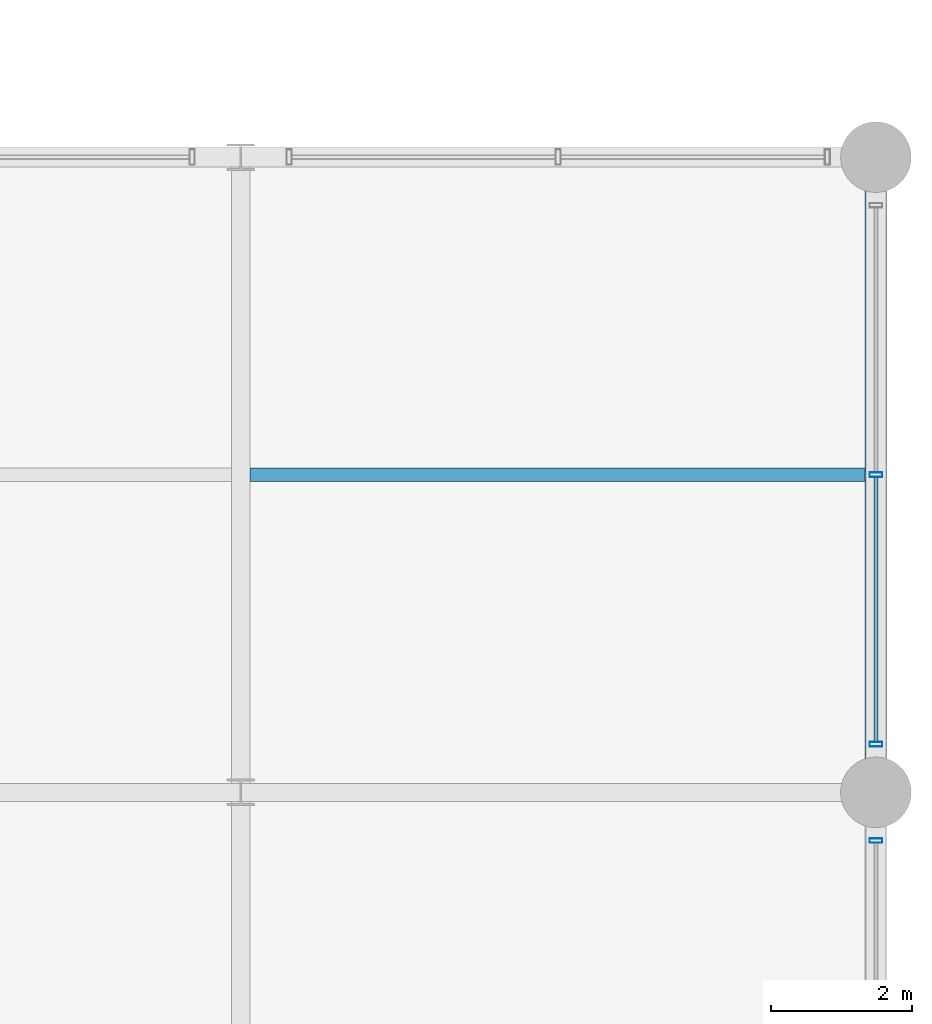
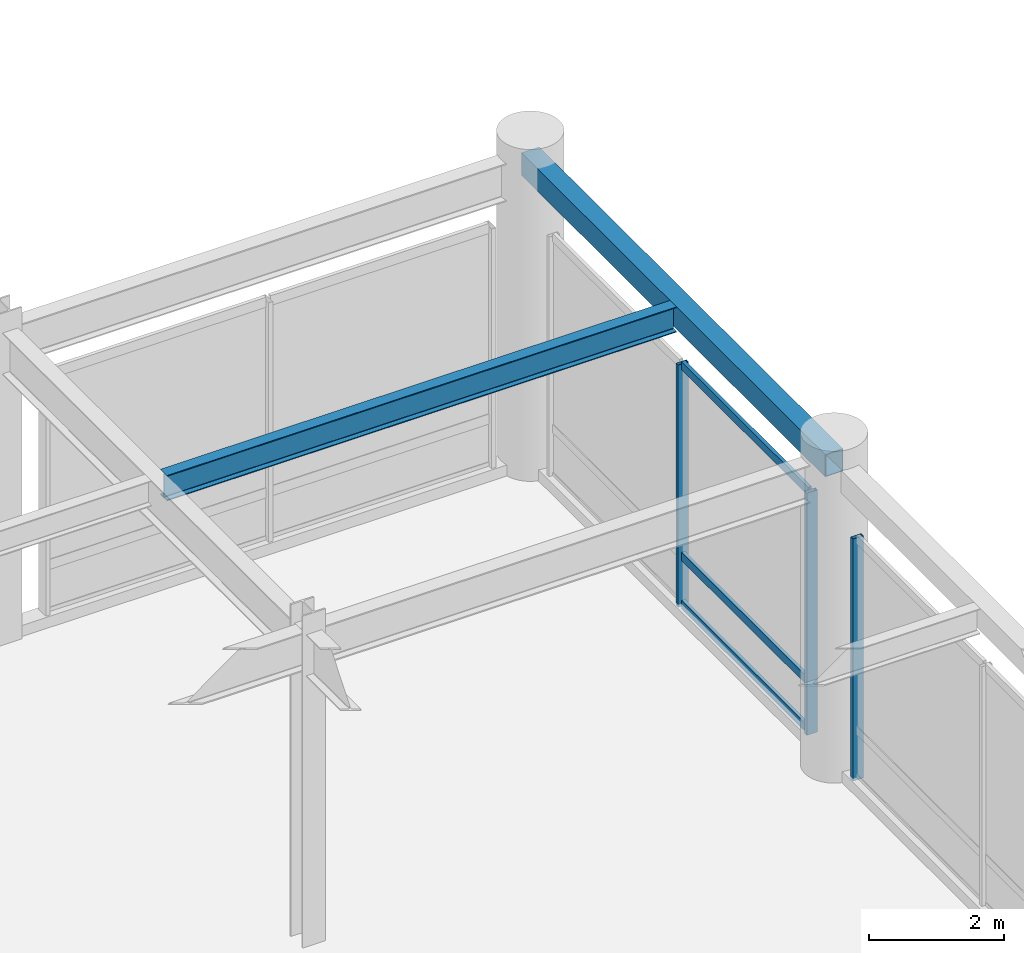
# One storey, part 58 of 108: 6 members, 2 beams, 2 elements without a shape of their own.
"""IFC4 building model written with IfcOpenShell, lengths in metres."""

from ifc_helpers import new_model, si_unit, direction, frame, origin, origin_2d, place, context, subcontext, project, spatial, hollow_rectangle, i_section, extrude, material, material_profile, profile_set, type_object, element, aggregate, save


model = new_model("IFC4")

# Units and contexts
model_context = context("Model", 3, precision=1e-05, world=origin(), true_north=direction((0.0, 1.0)))
body_context = subcontext(model_context, "Body", "Model", "MODEL_VIEW")
ifc_project = project(units=[si_unit("LENGTHUNIT", "METRE"), si_unit("AREAUNIT", "SQUARE_METRE"), si_unit("VOLUMEUNIT", "CUBIC_METRE"), si_unit("PLANEANGLEUNIT", "RADIAN"), si_unit("MASSUNIT", "GRAM", prefix="KILO")], contexts=[model_context])

# Site, building, storey
site_placement = place(None, origin())
site = spatial("IfcSite", under=ifc_project, at=site_placement, CompositionType="ELEMENT")
building_placement = place(site_placement, origin())
building = spatial("IfcBuilding", under=site, at=building_placement, Name="Kaldorvane Square Convention Centre", CompositionType="ELEMENT")
storey_placement = place(building_placement, frame((0.0, 0.0, 12.0)))
storey = spatial("IfcBuildingStorey", under=building, at=storey_placement, Name="L02", CompositionType="ELEMENT", Elevation=12.0)

# Beams
ifc_material_1 = material(Name="Steel ASTM A992 Gr. 50", Category="steel")
ifc_material_profile_1 = material_profile(ifc_material_1, i_section(OverallWidth=0.1912994384765625, OverallDepth=0.4600067138671875, WebThickness=0.0099029541015625, FlangeThickness=0.0160064697265625, FilletRadius=0.01019287109375, at=origin_2d()), Name="W18X55")
ifc_profile_set_1 = profile_set([ifc_material_profile_1], Name="Steel ASTM A992 Gr. 50")
beam_type_1 = type_object("IfcBeamType", Name="BM-JS-W18X55", PredefinedType="JOIST", material=ifc_profile_set_1)
beam_1_placement = place(storey_placement, frame((165.13330078125, 31.5, 5.4160003662109375), z_axis=(1.0, 0.0, 0.0), x_axis=(0.0, 1.0, 0.0)))
element("IfcBeam", 1, at=beam_1_placement, inside=storey, type_object=beam_type_1, Name="Secondary Floor Joist (L02)", PredefinedType="JOIST", context=body_context, shape_type="SweptSolid", body=[
    extrude(i_section(OverallWidth=0.1912994384765625, OverallDepth=0.4600067138671875, WebThickness=0.0099029541015625, FlangeThickness=0.0160064697265625, FilletRadius=0.01019287109375, at=origin_2d()), origin(), (0.0, 0.0, 1.0), 8.71429443359375),
])
ifc_material_2 = material(Name="Steel ASTM A500 Gr. C", Category="steel")
ifc_material_profile_2 = material_profile(ifc_material_2, hollow_rectangle(XDim=0.3047943115234375, YDim=0.406402587890625, WallThickness=0.0117950439453125, at=origin_2d()), Name="HSS16X12X1/2")
ifc_profile_set_2 = profile_set([ifc_material_profile_2], Name="Steel ASTM A500 Gr. C")
beam_type_2 = type_object("IfcBeamType", Name="BM-SP-HSS16", PredefinedType="SPANDREL", material=ifc_profile_set_2)
beam_2_placement = place(storey_placement, frame((174.0, 27.0, 5.4427947998046875), z_axis=(0.0, 1.0, 0.0), x_axis=(-1.0, 0.0, 0.0)))
element("IfcBeam", 2, at=beam_2_placement, inside=storey, type_object=beam_type_2, Name="End Spandrel (L02)", PredefinedType="SPANDREL", context=body_context, shape_type="SweptSolid", body=[
    extrude(hollow_rectangle(XDim=0.3047943115234375, YDim=0.406402587890625, WallThickness=0.0117950439453125, at=origin_2d()), origin(), (0.0, 0.0, 1.0), 9.0),
])

# Curtain wall, member
ifc_material_3 = material(Name="Anodized Aluminum and Low-E Insulated Glazing", Category="aluminium")
curtain_wall_type = type_object("IfcCurtainWallType", Name="CW-UNI-P60-09", PredefinedType="USERDEFINED", material=ifc_material_3)
curtain_wall_1_placement = place(storey_placement, origin())
curtain_wall_1 = element("IfcCurtainWall", 3, at=curtain_wall_1_placement, inside=storey, type_object=curtain_wall_type, Name="Curtain Wall CW-02 (L02)", ObjectType="UNITISED GLAZING", PredefinedType="USERDEFINED")
ifc_material_profile_3 = material_profile(ifc_material_3, hollow_rectangle(XDim=0.06500244140625, YDim=0.17999267578125, WallThickness=0.0034942626953125, at=origin_2d()), Name="CWM-180X65")
ifc_profile_set_3 = profile_set([ifc_material_profile_3], Name="Anodized Aluminum and Low-E Insulated Glazing")
member_type_1 = type_object("IfcMemberType", Name="CW-MUL-180", PredefinedType="MULLION", material=ifc_profile_set_3)
member_1_placement = place(storey_placement, frame((174.0, 26.3175048828125, 0.149993896484375), z_axis=(0.0, 0.0, 1.0), x_axis=(0.0, 1.0, 0.0)))
member_1 = element("IfcMember", 4, at=member_1_placement, type_object=member_type_1, Name="CW-02 mullion 3", PredefinedType="MULLION", context=body_context, shape_type="SweptSolid", body=[
    extrude(hollow_rectangle(XDim=0.06500244140625, YDim=0.17999267578125, WallThickness=0.0034942626953125, at=origin_2d()), origin(), (0.0, 0.0, 1.0), 4.3800048828125),
])
aggregate(curtain_wall_1, [member_1])

# Curtain wall, members
curtain_wall_2_placement = place(storey_placement, origin())
curtain_wall_2 = element("IfcCurtainWall", 5, at=curtain_wall_2_placement, inside=storey, type_object=curtain_wall_type, Name="Curtain Wall CW-02 (L02)", ObjectType="UNITISED GLAZING", PredefinedType="USERDEFINED")
member_2_placement = place(storey_placement, frame((174.0, 27.6824951171875, 0.149993896484375), z_axis=(0.0, 0.0, 1.0), x_axis=(0.0, 1.0, 0.0)))
member_2 = element("IfcMember", 6, at=member_2_placement, type_object=member_type_1, Name="CW-02 mullion 1", PredefinedType="MULLION", context=body_context, shape_type="SweptSolid", body=[
    extrude(hollow_rectangle(XDim=0.06500244140625, YDim=0.17999267578125, WallThickness=0.0034942626953125, at=origin_2d()), origin(), (0.0, 0.0, 1.0), 4.3800048828125),
])
member_3_placement = place(storey_placement, frame((174.0, 31.5, 0.149993896484375), z_axis=(0.0, 0.0, 1.0), x_axis=(0.0, 1.0, 0.0)))
member_3 = element("IfcMember", 7, at=member_3_placement, type_object=member_type_1, Name="CW-02 mullion 2", PredefinedType="MULLION", context=body_context, shape_type="SweptSolid", body=[
    extrude(hollow_rectangle(XDim=0.06500244140625, YDim=0.17999267578125, WallThickness=0.0034942626953125, at=origin_2d()), origin(), (0.0, 0.0, 1.0), 4.3800048828125),
])
ifc_material_profile_4 = material_profile(ifc_material_3, hollow_rectangle(XDim=0.05999755859375, YDim=0.149993896484375, WallThickness=0.003204345703125, at=origin_2d()), Name="CWT-150X60")
ifc_profile_set_4 = profile_set([ifc_material_profile_4], Name="Anodized Aluminum and Low-E Insulated Glazing")
member_type_2 = type_object("IfcMemberType", Name="CW-TRN-150", PredefinedType="USERDEFINED", material=ifc_profile_set_4)
member_4_placement = place(storey_placement, frame((174.0, 27.714996337890625, 0.17999267578125), z_axis=(0.0, 1.0, 0.0), x_axis=(-1.0, 0.0, 0.0)))
member_4 = element("IfcMember", 8, at=member_4_placement, type_object=member_type_2, Name="CW-02 transom 1.1", ObjectType="TRANSOM", PredefinedType="USERDEFINED", context=body_context, shape_type="SweptSolid", body=[
    extrude(hollow_rectangle(XDim=0.05999755859375, YDim=0.149993896484375, WallThickness=0.003204345703125, at=origin_2d()), origin(), (0.0, 0.0, 1.0), 3.75250244140625),
])
member_5_placement = place(storey_placement, frame((174.0, 27.714996337890625, 1.0500030517578125), z_axis=(0.0, 1.0, 0.0), x_axis=(-1.0, 0.0, 0.0)))
member_5 = element("IfcMember", 9, at=member_5_placement, type_object=member_type_2, Name="CW-02 transom 1.2", ObjectType="TRANSOM", PredefinedType="USERDEFINED", context=body_context, shape_type="SweptSolid", body=[
    extrude(hollow_rectangle(XDim=0.05999755859375, YDim=0.149993896484375, WallThickness=0.003204345703125, at=origin_2d()), origin(), (0.0, 0.0, 1.0), 3.75250244140625),
])
member_6_placement = place(storey_placement, frame((174.0, 27.714996337890625, 4.5), z_axis=(0.0, 1.0, 0.0), x_axis=(-1.0, 0.0, 0.0)))
member_6 = element("IfcMember", 10, at=member_6_placement, type_object=member_type_2, Name="CW-02 transom 1.3", ObjectType="TRANSOM", PredefinedType="USERDEFINED", context=body_context, shape_type="SweptSolid", body=[
    extrude(hollow_rectangle(XDim=0.05999755859375, YDim=0.149993896484375, WallThickness=0.003204345703125, at=origin_2d()), origin(), (0.0, 0.0, 1.0), 3.75250244140625),
])
aggregate(curtain_wall_2, [member_2, member_3, member_4, member_5, member_6])

save(model, "model.ifc")
